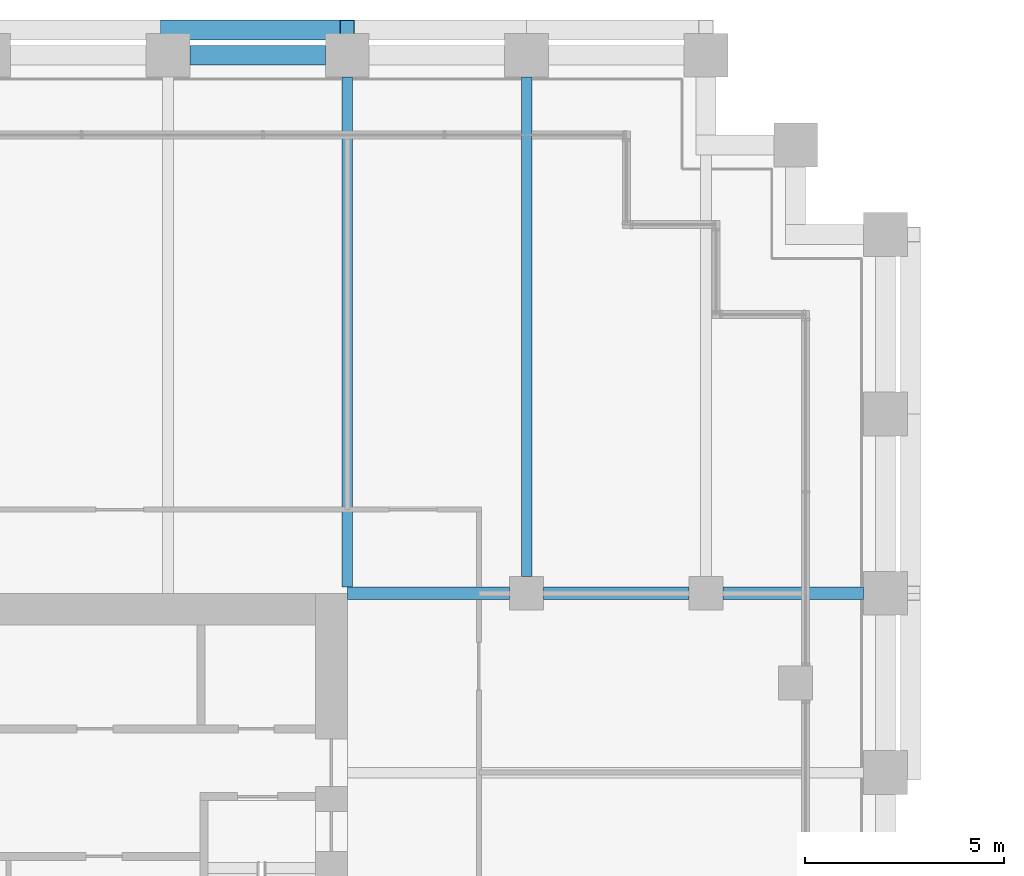
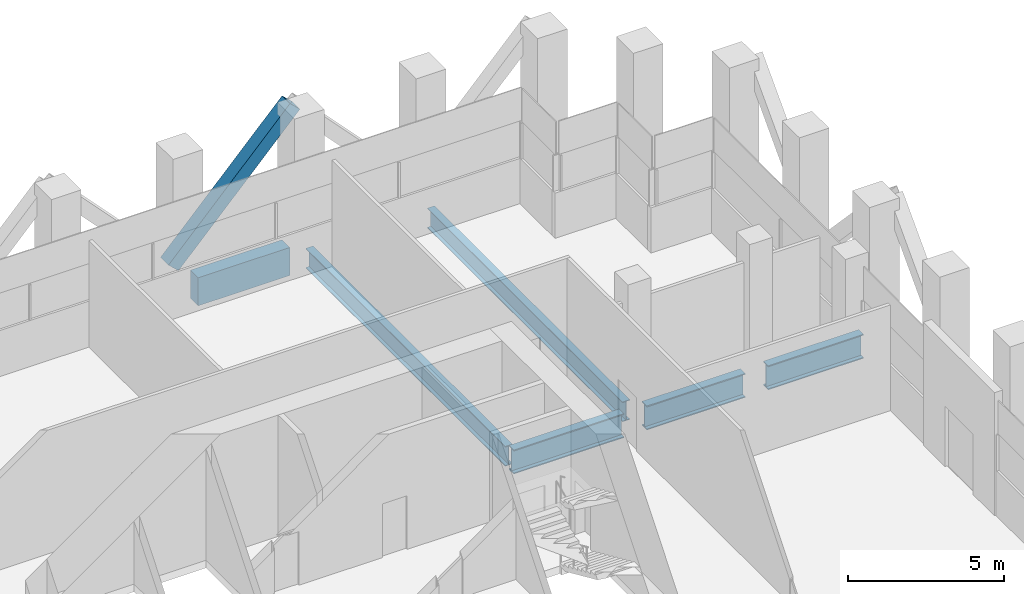
# One storey, part 21 of 44: 6 beams, 1 member.
"""IFC4 building model written with IfcOpenShell, lengths in metres."""

from ifc_helpers import new_model, si_unit, direction, frame, origin, origin_2d, place, context, subcontext, project, spatial, rectangle, hollow_rectangle, i_section, extrude, material, material_profile, profile_set, type_object, element, save


model = new_model("IFC4")

# Units and contexts
model_context = context("Model", 3, precision=1e-05, world=origin(), true_north=direction((0.0, 1.0)))
body_context = subcontext(model_context, "Body", "Model", "MODEL_VIEW")
ifc_project = project(units=[si_unit("LENGTHUNIT", "METRE"), si_unit("AREAUNIT", "SQUARE_METRE"), si_unit("VOLUMEUNIT", "CUBIC_METRE"), si_unit("PLANEANGLEUNIT", "RADIAN"), si_unit("MASSUNIT", "GRAM", prefix="KILO")], contexts=[model_context])

# Site, building, storey
site_placement = place(None, origin())
site = spatial("IfcSite", under=ifc_project, at=site_placement, CompositionType="ELEMENT")
building_placement = place(site_placement, origin())
building = spatial("IfcBuilding", under=site, at=building_placement, Name="Altepetl Exchange Towers", CompositionType="ELEMENT")
storey_placement = place(building_placement, frame((0.0, 0.0, 87.0)))
storey = spatial("IfcBuildingStorey", under=building, at=storey_placement, Name="L21 Refuge", CompositionType="ELEMENT", Elevation=87.0)

# Member
ifc_material_1 = material(Name="Steel S355", Category="steel")
ifc_material_profile_1 = material_profile(ifc_material_1, hollow_rectangle(XDim=0.508056640625, YDim=0.508056640625, WallThickness=0.017578125, at=origin_2d()), Name="HSS508X508X19.0")
ifc_profile_set_1 = profile_set([ifc_material_profile_1], Name="Steel S355")
member_type = type_object("IfcMemberType", Name="Belt diagonal HSS508X508X19.0", PredefinedType="BRACE", material=ifc_profile_set_1)
member_placement = place(storey_placement, frame((58.5, 72.6298828125, 4.75), z_axis=(-0.687744647911, 0.0, -0.725952683906), x_axis=(0.0, -1.0, 0.0)))
element("IfcMember", 1, at=member_placement, inside=storey, type_object=member_type, Name="brc:A:L21:015", PredefinedType="BRACE", context=body_context, shape_type="SweptSolid", body=[
    extrude(hollow_rectangle(XDim=0.508056640625, YDim=0.508056640625, WallThickness=0.017578125, at=origin_2d()), origin(), (0.0, 0.0, 1.0), 6.543212890625),
])

# Beams
ifc_material_profile_2 = material_profile(ifc_material_1, i_section(OverallWidth=0.26806640625, OverallDepth=0.77392578125, WebThickness=0.015380859375, FlangeThickness=0.025390625, at=origin_2d()), Name="W30X132")
ifc_profile_set_2 = profile_set([ifc_material_profile_2], Name="Steel S355")
beam_type_1 = type_object("IfcBeamType", Name="Floor beam W30X132", PredefinedType="BEAM", material=ifc_profile_set_2)
beam_1_placement = place(storey_placement, frame((58.5, 58.654052734375, -0.5869140625), z_axis=(0.0, 1.0, 0.0), x_axis=(-1.0, 0.0, 0.0)))
element("IfcBeam", 2, at=beam_1_placement, inside=storey, type_object=beam_type_1, Name="bm:A:L21:003", PredefinedType="BEAM", context=body_context, shape_type="SweptSolid", body=[
    extrude(i_section(OverallWidth=0.26806640625, OverallDepth=0.77392578125, WebThickness=0.015380859375, FlangeThickness=0.025390625, at=origin_2d()), origin(), (0.0, 0.0, 1.0), 12.7958984375),
])
beam_2_placement = place(storey_placement, frame((63.0, 58.925048828125, -0.5869140625), z_axis=(0.0, 1.0, 0.0), x_axis=(-1.0, 0.0, 0.0)))
element("IfcBeam", 3, at=beam_2_placement, inside=storey, type_object=beam_type_1, Name="bm:A:L21:004", PredefinedType="BEAM", context=body_context, shape_type="SweptSolid", body=[
    extrude(i_section(OverallWidth=0.26806640625, OverallDepth=0.77392578125, WebThickness=0.015380859375, FlangeThickness=0.025390625, at=origin_2d()), origin(), (0.0, 0.0, 1.0), 12.52490234375),
])
ifc_material_profile_3 = material_profile(ifc_material_1, i_section(OverallWidth=0.30810546875, OverallDepth=0.943115234375, WebThickness=0.022216796875, FlangeThickness=0.039794921875, at=origin_2d()), Name="W36X232")
ifc_profile_set_3 = profile_set([ifc_material_profile_3], Name="Steel S355")
beam_type_2 = type_object("IfcBeamType", Name="Girder W36X232", PredefinedType="BEAM", material=ifc_profile_set_3)
beam_3_placement = place(storey_placement, frame((58.5, 58.5, -0.67138671875), z_axis=(1.0, 0.0, 0.0), x_axis=(0.0, 1.0, 0.0)))
element("IfcBeam", 4, at=beam_3_placement, inside=storey, type_object=beam_type_2, Name="gd:A:L21:000", PredefinedType="BEAM", context=body_context, shape_type="SweptSolid", body=[
    extrude(i_section(OverallWidth=0.30810546875, OverallDepth=0.943115234375, WebThickness=0.022216796875, FlangeThickness=0.039794921875, at=origin_2d()), origin(), (0.0, 0.0, 1.0), 4.074951171875),
])
beam_4_placement = place(storey_placement, frame((63.425048828125, 58.5, -0.67138671875), z_axis=(1.0, 0.0, 0.0), x_axis=(0.0, 1.0, 0.0)))
element("IfcBeam", 5, at=beam_4_placement, inside=storey, type_object=beam_type_2, Name="gd:A:L21:001", PredefinedType="BEAM", context=body_context, shape_type="SweptSolid", body=[
    extrude(i_section(OverallWidth=0.30810546875, OverallDepth=0.943115234375, WebThickness=0.022216796875, FlangeThickness=0.039794921875, at=origin_2d()), origin(), (0.0, 0.0, 1.0), 3.64990234375),
])
beam_5_placement = place(storey_placement, frame((67.925048828125, 58.5, -0.67138671875), z_axis=(1.0, 0.0, 0.0), x_axis=(0.0, 1.0, 0.0)))
element("IfcBeam", 6, at=beam_5_placement, inside=storey, type_object=beam_type_2, Name="gd:A:L21:002", PredefinedType="BEAM", context=body_context, shape_type="SweptSolid", body=[
    extrude(i_section(OverallWidth=0.30810546875, OverallDepth=0.943115234375, WebThickness=0.022216796875, FlangeThickness=0.039794921875, at=origin_2d()), origin(), (0.0, 0.0, 1.0), 3.52490234375),
])
ifc_material_2 = material(Name="Concrete C50/60 precast with cantera rosa facing", Category="concrete")
ifc_material_profile_4 = material_profile(ifc_material_2, rectangle(XDim=0.5, YDim=1.10009765625, at=origin_2d()), Name="500 x 1100")
ifc_profile_set_4 = profile_set([ifc_material_profile_4], Name="Concrete C50/60 precast with cantera rosa facing")
beam_type_3 = type_object("IfcBeamType", Name="Spandrel beam 500x1100 cantera rosa", PredefinedType="SPANDREL", material=ifc_profile_set_4)
beam_6_placement = place(storey_placement, frame((57.949951171875, 72.0, -0.75), z_axis=(-1.0, 0.0, 0.0), x_axis=(0.0, -1.0, 0.0)))
element("IfcBeam", 7, at=beam_6_placement, inside=storey, type_object=beam_type_3, Name="sp:A:L21:026", PredefinedType="SPANDREL", context=body_context, shape_type="SweptSolid", body=[
    extrude(rectangle(XDim=0.5, YDim=1.10009765625, at=origin_2d()), origin(), (0.0, 0.0, 1.0), 3.39990234375),
])

save(model, "model.ifc")
